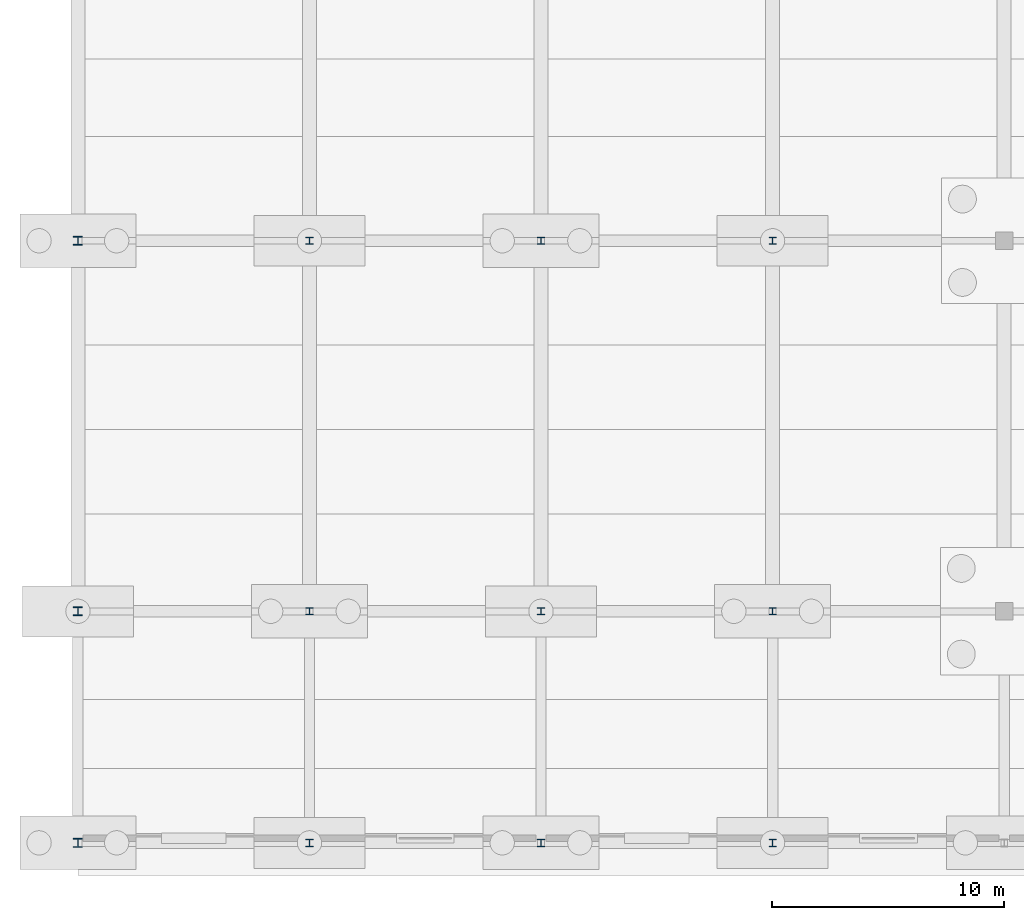
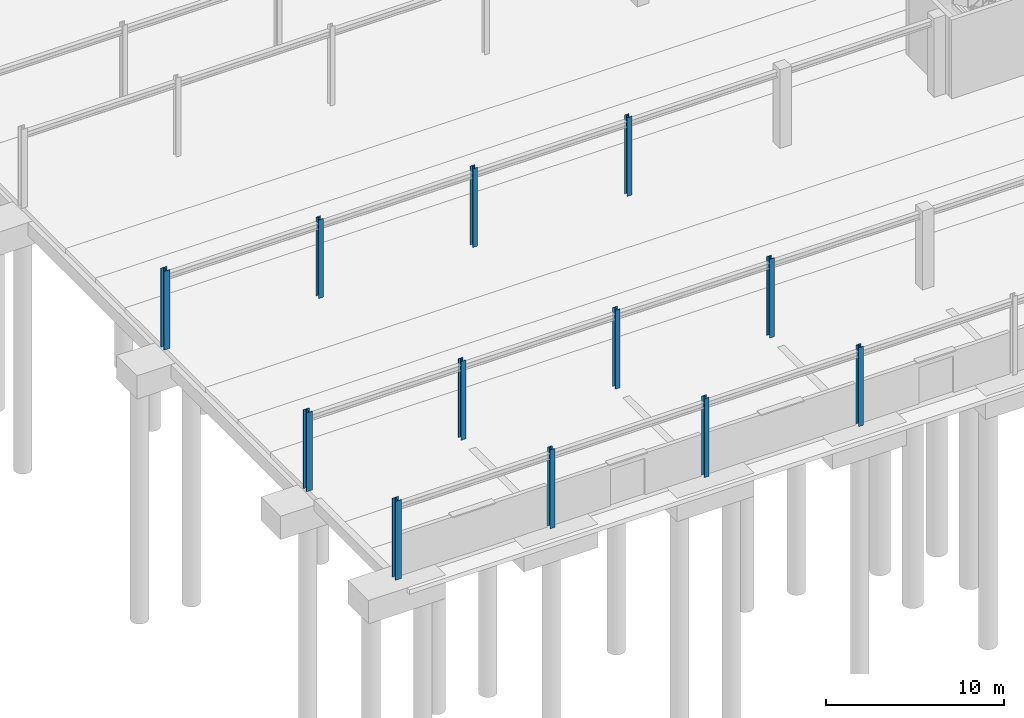
# One storey, part 9 of 99: 12 columns.
"""IFC4 building model written with IfcOpenShell, lengths in metres."""

from ifc_helpers import new_model, si_unit, direction, frame, origin, origin_2d, place, context, subcontext, project, spatial, i_section, extrude, material, material_profile, profile_set, type_object, element, save


model = new_model("IFC4")

# Units and contexts
model_context = context("Model", 3, precision=1e-05, world=origin(), true_north=direction((0.0, 1.0)))
body_context = subcontext(model_context, "Body", "Model", "MODEL_VIEW")
ifc_project = project(units=[si_unit("LENGTHUNIT", "METRE"), si_unit("AREAUNIT", "SQUARE_METRE"), si_unit("VOLUMEUNIT", "CUBIC_METRE"), si_unit("PLANEANGLEUNIT", "RADIAN"), si_unit("MASSUNIT", "GRAM", prefix="KILO")], contexts=[model_context])

# Site, building, storey
site_placement = place(None, origin())
site = spatial("IfcSite", under=ifc_project, at=site_placement, CompositionType="ELEMENT")
building_placement = place(site_placement, origin())
building = spatial("IfcBuilding", under=site, at=building_placement, Name="Kivolera Central Railway Station", CompositionType="ELEMENT")
storey_placement = place(building_placement, origin())
storey = spatial("IfcBuildingStorey", under=building, at=storey_placement, Name="L00", CompositionType="ELEMENT", Elevation=0.0)

# Columns
ifc_material = material(Name="Steel S355", Category="steel")
ifc_material_profile_1 = material_profile(ifc_material, i_section(OverallWidth=0.30908203125, OverallDepth=0.320556640625, WebThickness=0.013916015625, FlangeThickness=0.021728515625, FilletRadius=0.01513671875, at=origin_2d()), Name="UC 305x305x137")
ifc_profile_set_1 = profile_set([ifc_material_profile_1], Name="Steel S355")
column_type_1 = type_object("IfcColumnType", Name="COL-STL-UC305", PredefinedType="COLUMN", material=ifc_profile_set_1)
for number, where, z_axis, x_axis, name in (
    (1, (18.0, 6.0, 0.0), (0.0, 0.0, 1.0), (1.0, 0.0, 0.0), "L00 Train Shed Column 2-A"),
    (2, (18.0, 16.0, 0.0), (0.0, 0.0, 1.0), (1.0, 0.0, 0.0), "L00 Train Shed Column 2-B"),
    (3, (18.0, 32.0, 0.0), (0.0, 0.0, 1.0), (1.0, 0.0, 0.0), "L00 Train Shed Column 2-C"),
    (4, (28.0, 6.0, 0.0), (0.0, 0.0, 1.0), (1.0, 0.0, 0.0), "L00 Train Shed Column 3-A"),
    (5, (28.0, 16.0, 0.0), (0.0, 0.0, 1.0), (1.0, 0.0, 0.0), "L00 Train Shed Column 3-B"),
    (6, (28.0, 32.0, 0.0), (0.0, 0.0, 1.0), (1.0, 0.0, 0.0), "L00 Train Shed Column 3-C"),
    (7, (38.0, 6.0, 0.0), (0.0, 0.0, 1.0), (1.0, 0.0, 0.0), "L00 Train Shed Column 4-A"),
    (8, (38.0, 16.0, 0.0), (0.0, 0.0, 1.0), (1.0, 0.0, 0.0), "L00 Train Shed Column 4-B"),
    (9, (38.0, 32.0, 0.0), (0.0, 0.0, 1.0), (1.0, 0.0, 0.0), "L00 Train Shed Column 4-C"),
):
    element("IfcColumn", number, at=place(storey_placement, frame(where, z_axis=z_axis, x_axis=x_axis)), inside=storey, type_object=column_type_1, Name=name, PredefinedType="COLUMN", context=body_context, shape_type="SweptSolid", body=[
        extrude(i_section(OverallWidth=0.30908203125, OverallDepth=0.320556640625, WebThickness=0.013916015625, FlangeThickness=0.021728515625, FilletRadius=0.01513671875, at=origin_2d()), origin(), (0.0, 0.0, 1.0), 5.39990234375),
    ])
ifc_material_profile_2 = material_profile(ifc_material, i_section(OverallWidth=0.394775390625, OverallDepth=0.381103515625, WebThickness=0.018310546875, FlangeThickness=0.0302734375, FilletRadius=0.01513671875, at=origin_2d()), Name="UC 356x406x235")
ifc_profile_set_2 = profile_set([ifc_material_profile_2], Name="Steel S355")
column_type_2 = type_object("IfcColumnType", Name="COL-STL-UC356", PredefinedType="COLUMN", material=ifc_profile_set_2)
for number, where, z_axis, x_axis, name in (
    (10, (8.0, 6.0, 0.0), (0.0, 0.0, 1.0), (1.0, 0.0, 0.0), "L00 Train Shed Column 1-A"),
    (11, (8.0, 16.0, 0.0), (0.0, 0.0, 1.0), (1.0, 0.0, 0.0), "L00 Train Shed Column 1-B"),
    (12, (8.0, 32.0, 0.0), (0.0, 0.0, 1.0), (1.0, 0.0, 0.0), "L00 Train Shed Column 1-C"),
):
    element("IfcColumn", number, at=place(storey_placement, frame(where, z_axis=z_axis, x_axis=x_axis)), inside=storey, type_object=column_type_2, Name=name, PredefinedType="COLUMN", context=body_context, shape_type="SweptSolid", body=[
        extrude(i_section(OverallWidth=0.394775390625, OverallDepth=0.381103515625, WebThickness=0.018310546875, FlangeThickness=0.0302734375, FilletRadius=0.01513671875, at=origin_2d()), origin(), (0.0, 0.0, 1.0), 5.39990234375),
    ])

save(model, "model.ifc")
